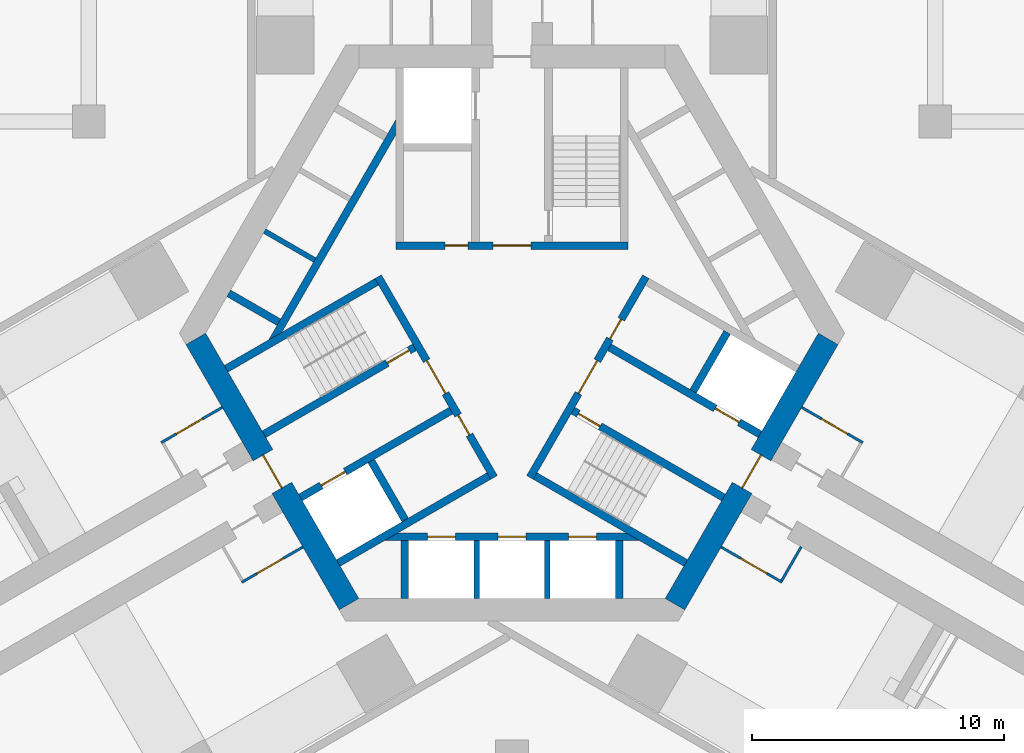
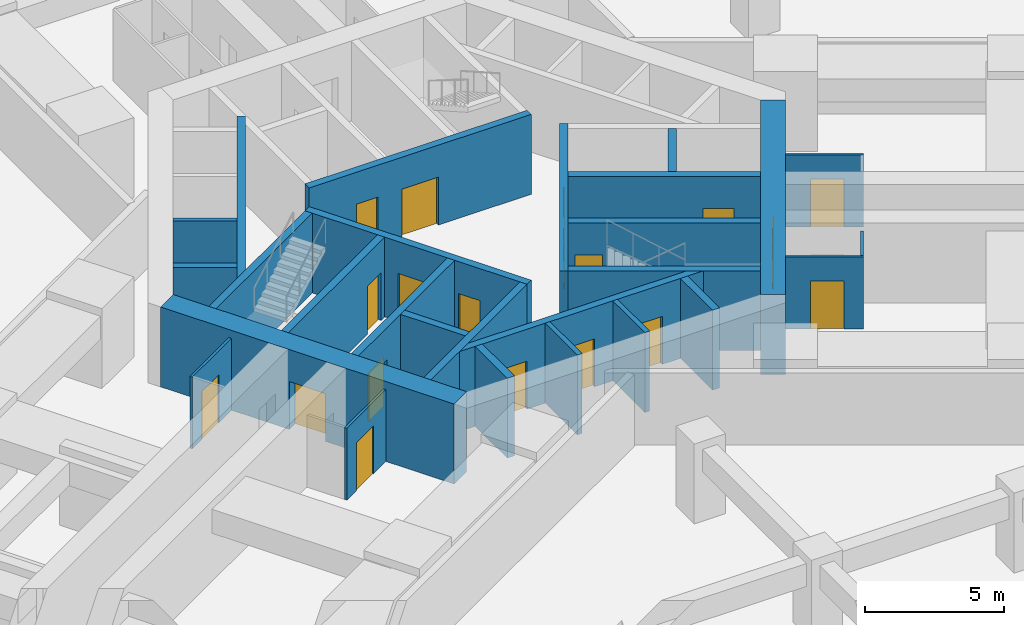
# One storey, part 6 of 10: 27 walls, 19 doors, 19 openings.
"""IFC4 building model written with IfcOpenShell, lengths in metres."""

from ifc_helpers import new_model, si_unit, direction, frame, frame_2d, origin, place, context, subcontext, project, spatial, rectangle, extrude, material, layer, layer_set, type_object, element, fill, save


model = new_model("IFC4")

# Units and contexts
model_context = context("Model", 3, precision=1e-05, world=origin(), true_north=direction((0.0, 1.0)))
body_context = subcontext(model_context, "Body", "Model", "MODEL_VIEW")
ifc_project = project(units=[si_unit("LENGTHUNIT", "METRE"), si_unit("AREAUNIT", "SQUARE_METRE"), si_unit("VOLUMEUNIT", "CUBIC_METRE"), si_unit("PLANEANGLEUNIT", "RADIAN"), si_unit("MASSUNIT", "GRAM", prefix="KILO")], contexts=[model_context])

# Site, building, storey
site_placement = place(None, origin())
site = spatial("IfcSite", under=ifc_project, at=site_placement, CompositionType="ELEMENT")
building_placement = place(site_placement, origin())
building = spatial("IfcBuilding", under=site, at=building_placement, Name="Impinga Residences", CompositionType="ELEMENT")
storey_placement = place(building_placement, frame((0.0, 0.0, -3.5)))
storey = spatial("IfcBuildingStorey", under=building, at=storey_placement, Name="B1", CompositionType="ELEMENT", Elevation=-3.5)

# Wall, opening, door
ifc_material_1 = material(Name="Concrete blockwork", Category="masonry")
ifc_layer_1 = layer(ifc_material_1, 0.10009765625)
ifc_layer_set_1 = layer_set([ifc_layer_1], Name="CP1 core room partition, blockwork 100")
wall_type_1 = type_object("IfcWallType", Name="CP1 core room partition, blockwork 100", PredefinedType="PARTITIONING", material=ifc_layer_set_1)
wall_1_placement = place(storey_placement, frame((-8.300048828125, -8.487060546875, 0.0), z_axis=(0.0, 0.0, 1.0), x_axis=(-0.866034573852, -0.49998411664, 0.0)))
wall_1 = element("IfcWall", 1, at=wall_1_placement, inside=storey, type_object=wall_type_1, Name="Core room partition, blockwork B1-WA1:L1", PredefinedType="PARTITIONING", context=body_context, shape_type="SweptSolid", body=[
    extrude(rectangle(XDim=2.7998046875, YDim=0.10009765625, at=frame_2d((1.39990234375, 0.0))), origin(), (0.0, 0.0, 1.0), 3.14990234375),
])
opening_1_placement = place(wall_1_placement, frame((0.89990234375, 0.0, 0.0)))
opening_1 = element("IfcOpeningElement", 2, at=opening_1_placement, cuts=wall_1, Name="Opening D3", PredefinedType="OPENING", context=body_context, shape_type="SweptSolid", body=[
    extrude(rectangle(XDim=1.199951171875, YDim=2.10009765625, at=frame_2d((0.60009765625, 1.050048828125))), frame((0.0, 0.06005859375, 0.0), z_axis=(0.0, -1.0, 0.0), x_axis=(1.0, 0.0, 0.0)), (0.0, 0.0, 1.0), 0.1201171875),
])
ifc_material_2 = material(Name="Timber door set", Category="wood")
door_type_1 = type_object("IfcDoorType", Name="D3 room door, leaf and a half 1200x2100", OperationType="DOUBLE_SWING_LEFT", PredefinedType="DOOR", material=ifc_material_2)
door_1_placement = place(opening_1_placement, origin())
door_1 = element("IfcDoor", 3, at=door_1_placement, inside=storey, type_object=door_type_1, Name="Bicycle store door B1-WA1", OperationType="DOUBLE_SWING_LEFT", OverallHeight=2.10009765625, OverallWidth=1.199951171875, PredefinedType="DOOR", context=body_context, shape_type="SweptSolid", body=[
    extrude(rectangle(XDim=1.199951171875, YDim=2.10009765625, at=frame_2d((0.60009765625, 1.050048828125))), frame((0.0, 0.02490234375, 0.0), z_axis=(0.0, -1.0, 0.0), x_axis=(1.0, 0.0, 0.0)), (0.0, 0.0, 1.0), 0.050048828125),
])
fill(opening_1, door_1)

wall_2_placement = place(storey_placement, frame((-11.5, -2.944580078125, 0.0), z_axis=(0.0, 0.0, 1.0), x_axis=(-0.866034573852, -0.49998411664, 0.0)))
wall_2 = element("IfcWall", 4, at=wall_2_placement, inside=storey, type_object=wall_type_1, Name="Core room partition, blockwork B1-WF1:L1", PredefinedType="PARTITIONING", context=body_context, shape_type="SweptSolid", body=[
    extrude(rectangle(XDim=2.7998046875, YDim=0.10009765625, at=frame_2d((1.39990234375, 0.0))), origin(), (0.0, 0.0, 1.0), 3.14990234375),
])
opening_2_placement = place(wall_2_placement, frame((0.89990234375, 0.0, 0.0)))
opening_2 = element("IfcOpeningElement", 5, at=opening_2_placement, cuts=wall_2, Name="Opening D3", PredefinedType="OPENING", context=body_context, shape_type="SweptSolid", body=[
    extrude(rectangle(XDim=1.199951171875, YDim=2.10009765625, at=frame_2d((0.60009765625, 1.050048828125))), frame((0.0, 0.06005859375, 0.0), z_axis=(0.0, -1.0, 0.0), x_axis=(1.0, 0.0, 0.0)), (0.0, 0.0, 1.0), 0.1201171875),
])
door_2_placement = place(opening_2_placement, origin())
door_2 = element("IfcDoor", 6, at=door_2_placement, inside=storey, type_object=door_type_1, Name="Storage cages door B1-WF1", OperationType="DOUBLE_SWING_LEFT", OverallHeight=2.10009765625, OverallWidth=1.199951171875, PredefinedType="DOOR", context=body_context, shape_type="SweptSolid", body=[
    extrude(rectangle(XDim=1.199951171875, YDim=2.10009765625, at=frame_2d((0.60009765625, 1.050048828125))), frame((0.0, 0.02490234375, 0.0), z_axis=(0.0, -1.0, 0.0), x_axis=(1.0, 0.0, 0.0)), (0.0, 0.0, 1.0), 0.050048828125),
])
fill(opening_2, door_2)

wall_3_placement = place(storey_placement, frame((11.5, -2.944580078125, 0.0), z_axis=(0.0, 0.0, 1.0), x_axis=(0.866034573852, -0.49998411664, 0.0)))
wall_3 = element("IfcWall", 7, at=wall_3_placement, inside=storey, type_object=wall_type_1, Name="Core room partition, blockwork B1-EA1:L1", PredefinedType="PARTITIONING", context=body_context, shape_type="SweptSolid", body=[
    extrude(rectangle(XDim=2.7998046875, YDim=0.10009765625, at=frame_2d((1.39990234375, 0.0))), origin(), (0.0, 0.0, 1.0), 3.14990234375),
])
opening_3_placement = place(wall_3_placement, frame((0.89990234375, 0.0, 0.0)))
opening_3 = element("IfcOpeningElement", 8, at=opening_3_placement, cuts=wall_3, Name="Opening D3", PredefinedType="OPENING", context=body_context, shape_type="SweptSolid", body=[
    extrude(rectangle(XDim=1.199951171875, YDim=2.10009765625, at=frame_2d((0.60009765625, 1.050048828125))), frame((0.0, 0.06005859375, 0.0), z_axis=(0.0, -1.0, 0.0), x_axis=(1.0, 0.0, 0.0)), (0.0, 0.0, 1.0), 0.1201171875),
])
door_3_placement = place(opening_3_placement, origin())
door_3 = element("IfcDoor", 9, at=door_3_placement, inside=storey, type_object=door_type_1, Name="Storage cages door B1-EA1", OperationType="DOUBLE_SWING_LEFT", OverallHeight=2.10009765625, OverallWidth=1.199951171875, PredefinedType="DOOR", context=body_context, shape_type="SweptSolid", body=[
    extrude(rectangle(XDim=1.199951171875, YDim=2.10009765625, at=frame_2d((0.60009765625, 1.050048828125))), frame((0.0, 0.02490234375, 0.0), z_axis=(0.0, -1.0, 0.0), x_axis=(1.0, 0.0, 0.0)), (0.0, 0.0, 1.0), 0.050048828125),
])
fill(opening_3, door_3)

wall_4_placement = place(storey_placement, frame((8.300048828125, -8.487060546875, 0.0), z_axis=(0.0, 0.0, 1.0), x_axis=(0.866034573852, -0.49998411664, 0.0)))
wall_4 = element("IfcWall", 10, at=wall_4_placement, inside=storey, type_object=wall_type_1, Name="Core room partition, blockwork B1-EF1:L1", PredefinedType="PARTITIONING", context=body_context, shape_type="SweptSolid", body=[
    extrude(rectangle(XDim=2.7998046875, YDim=0.10009765625, at=frame_2d((1.39990234375, 0.0))), origin(), (0.0, 0.0, 1.0), 3.14990234375),
])
opening_4_placement = place(wall_4_placement, frame((0.89990234375, 0.0, 0.0)))
opening_4 = element("IfcOpeningElement", 11, at=opening_4_placement, cuts=wall_4, Name="Opening D3", PredefinedType="OPENING", context=body_context, shape_type="SweptSolid", body=[
    extrude(rectangle(XDim=1.199951171875, YDim=2.10009765625, at=frame_2d((0.60009765625, 1.050048828125))), frame((0.0, 0.06005859375, 0.0), z_axis=(0.0, -1.0, 0.0), x_axis=(1.0, 0.0, 0.0)), (0.0, 0.0, 1.0), 0.1201171875),
])
door_4_placement = place(opening_4_placement, origin())
door_4 = element("IfcDoor", 12, at=door_4_placement, inside=storey, type_object=door_type_1, Name="Smoke extract fan room door B1-EF1", OperationType="DOUBLE_SWING_LEFT", OverallHeight=2.10009765625, OverallWidth=1.199951171875, PredefinedType="DOOR", context=body_context, shape_type="SweptSolid", body=[
    extrude(rectangle(XDim=1.199951171875, YDim=2.10009765625, at=frame_2d((0.60009765625, 1.050048828125))), frame((0.0, 0.02490234375, 0.0), z_axis=(0.0, -1.0, 0.0), x_axis=(1.0, 0.0, 0.0)), (0.0, 0.0, 1.0), 0.050048828125),
])
fill(opening_4, door_4)

# Wall
wall_5_placement = place(storey_placement, frame((11.481689453125, -8.476318359375, 0.0), z_axis=(0.0, 0.0, 1.0), x_axis=(-0.500017819788, -0.86601511528, 0.0)))
element("IfcWall", 13, at=wall_5_placement, inside=storey, type_object=wall_type_1, Name="Core room partition, blockwork B1-EF1:L2", PredefinedType="PARTITIONING", context=body_context, shape_type="SweptSolid", body=[
    extrude(rectangle(XDim=1.55029296875, YDim=0.10009765625, at=frame_2d((0.775146484375, 0.0))), origin(), (0.0, 0.0, 1.0), 3.14990234375),
])

# Wall, opening, door
ifc_material_3 = material(Name="Concrete C70/85", Category="concrete")
ifc_layer_2 = layer(ifc_material_3, 0.89990234375)
ifc_layer_set_2 = layer_set([ifc_layer_2], Name="Concrete C70/85")
wall_type_2 = type_object("IfcWallType", Name="SW1 core wall 900", PredefinedType="SHEAR", material=ifc_layer_set_2)
wall_6_placement = place(storey_placement, frame((-6.47021484375, -10.756591796875, 0.0), z_axis=(0.0, 0.0, 1.0), x_axis=(-0.499997612506, 0.8660267822, 0.0)))
wall_6 = element("IfcWall", 14, at=wall_6_placement, inside=storey, type_object=wall_type_2, Name="Core wall SW1 W:FACE B1", PredefinedType="SHEAR", context=body_context, shape_type="SweptSolid", body=[
    extrude(rectangle(XDim=12.16064453125, YDim=0.89990234375, at=frame_2d((6.080322265625, 0.0))), origin(), (0.0, 0.0, 1.0), 3.5),
])
opening_5_placement = place(wall_6_placement, frame((5.330322265625, 0.0, 0.0)))
opening_5 = element("IfcOpeningElement", 15, at=opening_5_placement, cuts=wall_6, Name="Opening D4", PredefinedType="OPENING", context=body_context, shape_type="SweptSolid", body=[
    extrude(rectangle(XDim=1.5, YDim=2.10009765625, at=frame_2d((0.75, 1.050048828125))), frame((0.0, 0.4599609375, 0.0), z_axis=(0.0, -1.0, 0.0), x_axis=(1.0, 0.0, 0.0)), (0.0, 0.0, 1.0), 0.919921875),
])
door_type_2 = type_object("IfcDoorType", Name="D4 lobby door pair 1500x2100", OperationType="DOUBLE_DOOR_DOUBLE_SWING", PredefinedType="DOOR", material=ifc_material_2)
door_5_placement = place(opening_5_placement, origin())
door_5 = element("IfcDoor", 16, at=door_5_placement, inside=storey, type_object=door_type_2, Name="Lobby door W", OperationType="DOUBLE_DOOR_DOUBLE_SWING", OverallHeight=2.10009765625, OverallWidth=1.5, PredefinedType="DOOR", context=body_context, shape_type="SweptSolid", body=[
    extrude(rectangle(XDim=1.5, YDim=2.10009765625, at=frame_2d((0.75, 1.050048828125))), frame((0.0, 0.02490234375, 0.0), z_axis=(0.0, -1.0, 0.0), x_axis=(1.0, 0.0, 0.0)), (0.0, 0.0, 1.0), 0.050048828125),
])
fill(opening_5, door_5)

wall_7_placement = place(storey_placement, frame((12.550537109375, -0.22509765625, 0.0), z_axis=(0.0, 0.0, 1.0), x_axis=(-0.499997612506, -0.8660267822, 0.0)))
wall_7 = element("IfcWall", 17, at=wall_7_placement, inside=storey, type_object=wall_type_2, Name="Core wall SW1 E:FACE B1", PredefinedType="SHEAR", context=body_context, shape_type="SweptSolid", body=[
    extrude(rectangle(XDim=12.16064453125, YDim=0.89990234375, at=frame_2d((6.080322265625, 0.0))), origin(), (0.0, 0.0, 1.0), 3.5),
])
opening_6_placement = place(wall_7_placement, frame((5.330322265625, 0.0, 0.0)))
opening_6 = element("IfcOpeningElement", 18, at=opening_6_placement, cuts=wall_7, Name="Opening D4", PredefinedType="OPENING", context=body_context, shape_type="SweptSolid", body=[
    extrude(rectangle(XDim=1.5, YDim=2.10009765625, at=frame_2d((0.75, 1.050048828125))), frame((0.0, 0.4599609375, 0.0), z_axis=(0.0, -1.0, 0.0), x_axis=(1.0, 0.0, 0.0)), (0.0, 0.0, 1.0), 0.919921875),
])
door_6_placement = place(opening_6_placement, origin())
door_6 = element("IfcDoor", 19, at=door_6_placement, inside=storey, type_object=door_type_2, Name="Lobby door E", OperationType="DOUBLE_DOOR_DOUBLE_SWING", OverallHeight=2.10009765625, OverallWidth=1.5, PredefinedType="DOOR", context=body_context, shape_type="SweptSolid", body=[
    extrude(rectangle(XDim=1.5, YDim=2.10009765625, at=frame_2d((0.75, 1.050048828125))), frame((0.0, 0.02490234375, 0.0), z_axis=(0.0, -1.0, 0.0), x_axis=(1.0, 0.0, 0.0)), (0.0, 0.0, 1.0), 0.050048828125),
])
fill(opening_6, door_6)

# Wall, openings, doors
ifc_layer_3 = layer(ifc_material_3, 0.300048828125)
ifc_layer_set_3 = layer_set([ifc_layer_3], Name="Concrete C70/85")
wall_type_3 = type_object("IfcWallType", Name="SW5 core inner wall, stairs, shafts and lobbies 300", PredefinedType="SHEAR", material=ifc_layer_set_3)
wall_8_placement = place(storey_placement, frame((-4.60009765625, 3.47998046875, 0.0), z_axis=(0.0, 0.0, 1.0), x_axis=(1.0, 0.0, 0.0)))
wall_8 = element("IfcWall", 20, at=wall_8_placement, inside=storey, type_object=wall_type_3, Name="Core wall SW5 N:ZONE B1", PredefinedType="SHEAR", context=body_context, shape_type="SweptSolid", body=[
    extrude(rectangle(XDim=9.2001953125, YDim=0.300048828125, at=frame_2d((4.60009765625, 0.0))), origin(), (0.0, 0.0, 1.0), 3.5),
])
opening_7_placement = place(wall_8_placement, frame((3.85009765625, 0.0, 0.0)))
opening_7 = element("IfcOpeningElement", 21, at=opening_7_placement, cuts=wall_8, Name="Opening D4", PredefinedType="OPENING", context=body_context, shape_type="SweptSolid", body=[
    extrude(rectangle(XDim=1.5, YDim=2.10009765625, at=frame_2d((0.75, 1.050048828125))), frame((0.0, 0.159912109375, 0.0), z_axis=(0.0, -1.0, 0.0), x_axis=(1.0, 0.0, 0.0)), (0.0, 0.0, 1.0), 0.320068359375),
])
opening_8_placement = place(wall_8_placement, frame((1.949951171875, 0.0, 0.0)))
opening_8 = element("IfcOpeningElement", 22, at=opening_8_placement, cuts=wall_8, Name="Opening D6", PredefinedType="OPENING", context=body_context, shape_type="SweptSolid", body=[
    extrude(rectangle(XDim=0.89990234375, YDim=2.10009765625, at=frame_2d((0.449951171875, 1.050048828125))), frame((0.0, 0.159912109375, 0.0), z_axis=(0.0, -1.0, 0.0), x_axis=(1.0, 0.0, 0.0)), (0.0, 0.0, 1.0), 0.320068359375),
])
door_7_placement = place(opening_7_placement, origin())
door_7 = element("IfcDoor", 23, at=door_7_placement, inside=storey, type_object=door_type_2, Name="Firefighting lobby door N", OperationType="DOUBLE_DOOR_DOUBLE_SWING", OverallHeight=2.10009765625, OverallWidth=1.5, PredefinedType="DOOR", context=body_context, shape_type="SweptSolid", body=[
    extrude(rectangle(XDim=1.5, YDim=2.10009765625, at=frame_2d((0.75, 1.050048828125))), frame((0.0, 0.02490234375, 0.0), z_axis=(0.0, -1.0, 0.0), x_axis=(1.0, 0.0, 0.0)), (0.0, 0.0, 1.0), 0.050048828125),
])
fill(opening_7, door_7)
door_type_3 = type_object("IfcDoorType", Name="D6 riser and store door 900x2100", OperationType="SINGLE_SWING_LEFT", PredefinedType="DOOR", material=ifc_material_2)
door_8_placement = place(opening_8_placement, origin())
door_8 = element("IfcDoor", 24, at=door_8_placement, inside=storey, type_object=door_type_3, Name="Riser door N", OperationType="SINGLE_SWING_LEFT", OverallHeight=2.10009765625, OverallWidth=0.89990234375, PredefinedType="DOOR", context=body_context, shape_type="SweptSolid", body=[
    extrude(rectangle(XDim=0.89990234375, YDim=2.10009765625, at=frame_2d((0.449951171875, 1.050048828125))), frame((0.0, 0.02490234375, 0.0), z_axis=(0.0, -1.0, 0.0), x_axis=(1.0, 0.0, 0.0)), (0.0, 0.0, 1.0), 0.050048828125),
])
fill(opening_8, door_8)

wall_9_placement = place(storey_placement, frame((-0.7138671875, -5.7236328125, 0.0), z_axis=(0.0, 0.0, 1.0), x_axis=(-0.499995050369, 0.866028261437, 0.0)))
wall_9 = element("IfcWall", 25, at=wall_9_placement, inside=storey, type_object=wall_type_3, Name="Core wall SW5 W:ZONE B1", PredefinedType="SHEAR", context=body_context, shape_type="SweptSolid", body=[
    extrude(rectangle(XDim=9.19970703125, YDim=0.300048828125, at=frame_2d((4.599853515625, 0.0))), origin(), (0.0, 0.0, 1.0), 3.5),
])
opening_9_placement = place(wall_9_placement, frame((3.85009765625, 0.0, 0.0)))
opening_9 = element("IfcOpeningElement", 26, at=opening_9_placement, cuts=wall_9, Name="Opening D4", PredefinedType="OPENING", context=body_context, shape_type="SweptSolid", body=[
    extrude(rectangle(XDim=1.5, YDim=2.10009765625, at=frame_2d((0.75, 1.050048828125))), frame((0.0, 0.159912109375, 0.0), z_axis=(0.0, -1.0, 0.0), x_axis=(1.0, 0.0, 0.0)), (0.0, 0.0, 1.0), 0.320068359375),
])
opening_10_placement = place(wall_9_placement, frame((1.949951171875, 0.0, 0.0)))
opening_10 = element("IfcOpeningElement", 27, at=opening_10_placement, cuts=wall_9, Name="Opening D6", PredefinedType="OPENING", context=body_context, shape_type="SweptSolid", body=[
    extrude(rectangle(XDim=0.89990234375, YDim=2.10009765625, at=frame_2d((0.449951171875, 1.050048828125))), frame((0.0, 0.159912109375, 0.0), z_axis=(0.0, -1.0, 0.0), x_axis=(1.0, 0.0, 0.0)), (0.0, 0.0, 1.0), 0.320068359375),
])
door_9_placement = place(opening_9_placement, origin())
door_9 = element("IfcDoor", 28, at=door_9_placement, inside=storey, type_object=door_type_2, Name="Firefighting lobby door W", OperationType="DOUBLE_DOOR_DOUBLE_SWING", OverallHeight=2.10009765625, OverallWidth=1.5, PredefinedType="DOOR", context=body_context, shape_type="SweptSolid", body=[
    extrude(rectangle(XDim=1.5, YDim=2.10009765625, at=frame_2d((0.75, 1.050048828125))), frame((0.0, 0.02490234375, 0.0), z_axis=(0.0, -1.0, 0.0), x_axis=(1.0, 0.0, 0.0)), (0.0, 0.0, 1.0), 0.050048828125),
])
fill(opening_9, door_9)
door_10_placement = place(opening_10_placement, origin())
door_10 = element("IfcDoor", 29, at=door_10_placement, inside=storey, type_object=door_type_3, Name="Riser door W", OperationType="SINGLE_SWING_LEFT", OverallHeight=2.10009765625, OverallWidth=0.89990234375, PredefinedType="DOOR", context=body_context, shape_type="SweptSolid", body=[
    extrude(rectangle(XDim=0.89990234375, YDim=2.10009765625, at=frame_2d((0.449951171875, 1.050048828125))), frame((0.0, 0.02490234375, 0.0), z_axis=(0.0, -1.0, 0.0), x_axis=(1.0, 0.0, 0.0)), (0.0, 0.0, 1.0), 0.050048828125),
])
fill(opening_10, door_10)

# Wall, opening, door
wall_10_placement = place(storey_placement, frame((-3.86865234375, -0.559326171875, 0.0), z_axis=(0.0, 0.0, 1.0), x_axis=(-0.86602711848, -0.499997030048, 0.0)))
wall_10 = element("IfcWall", 30, at=wall_10_placement, inside=storey, type_object=wall_type_3, Name="Core wall SW5 W:ST-IN B1", PredefinedType="SHEAR", context=body_context, shape_type="SweptSolid", body=[
    extrude(rectangle(XDim=6.9013671875, YDim=0.300048828125, at=frame_2d((3.45068359375, 0.0))), origin(), (0.0, 0.0, 1.0), 3.5),
])
opening_11_placement = place(wall_10_placement, frame((0.25, 0.0, 0.0)))
opening_11 = element("IfcOpeningElement", 31, at=opening_11_placement, cuts=wall_10, Name="Opening D5", PredefinedType="OPENING", context=body_context, shape_type="SweptSolid", body=[
    extrude(rectangle(XDim=1.0, YDim=2.10009765625, at=frame_2d((0.5, 1.050048828125))), frame((0.0, 0.159912109375, 0.0), z_axis=(0.0, -1.0, 0.0), x_axis=(1.0, 0.0, 0.0)), (0.0, 0.0, 1.0), 0.320068359375),
])
door_type_4 = type_object("IfcDoorType", Name="D5 stair door 1000x2100", OperationType="SINGLE_SWING_LEFT", PredefinedType="DOOR", material=ifc_material_2)
door_11_placement = place(opening_11_placement, origin())
door_11 = element("IfcDoor", 32, at=door_11_placement, inside=storey, type_object=door_type_4, Name="Stair door W", OperationType="SINGLE_SWING_LEFT", OverallHeight=2.10009765625, OverallWidth=1.0, PredefinedType="DOOR", context=body_context, shape_type="SweptSolid", body=[
    extrude(rectangle(XDim=1.0, YDim=2.10009765625, at=frame_2d((0.5, 1.050048828125))), frame((0.0, 0.02490234375, 0.0), z_axis=(0.0, -1.0, 0.0), x_axis=(1.0, 0.0, 0.0)), (0.0, 0.0, 1.0), 0.050048828125),
])
fill(opening_11, door_11)

# Wall
wall_11_placement = place(storey_placement, frame((-5.36865234375, 2.038818359375, 0.0), z_axis=(0.0, 0.0, 1.0), x_axis=(-0.86602711848, -0.499997030048, 0.0)))
element("IfcWall", 33, at=wall_11_placement, inside=storey, type_object=wall_type_3, Name="Core wall SW5 W:ST-OUT B1", PredefinedType="SHEAR", context=body_context, shape_type="SweptSolid", body=[
    extrude(rectangle(XDim=6.9013671875, YDim=0.300048828125, at=frame_2d((3.45068359375, 0.0))), origin(), (0.0, 0.0, 1.0), 3.5),
])

# Wall, opening, door
wall_12_placement = place(storey_placement, frame((-2.418701171875, -3.07080078125, 0.0), z_axis=(0.0, 0.0, 1.0), x_axis=(-0.86602711848, -0.499997030048, 0.0)))
wall_12 = element("IfcWall", 34, at=wall_12_placement, inside=storey, type_object=wall_type_3, Name="Core wall SW5 W:FF-IN B1", PredefinedType="SHEAR", context=body_context, shape_type="SweptSolid", body=[
    extrude(rectangle(XDim=6.9013671875, YDim=0.300048828125, at=frame_2d((3.45068359375, 0.0))), origin(), (0.0, 0.0, 1.0), 3.5),
])
opening_12_placement = place(wall_12_placement, frame((4.85009765625, 0.0, 0.0)))
opening_12 = element("IfcOpeningElement", 35, at=opening_12_placement, cuts=wall_12, Name="Opening LD2", PredefinedType="OPENING", context=body_context, shape_type="SweptSolid", body=[
    extrude(rectangle(XDim=1.10009765625, YDim=2.10009765625, at=frame_2d((0.550048828125, 1.050048828125))), frame((0.0, 0.159912109375, 0.0), z_axis=(0.0, -1.0, 0.0), x_axis=(1.0, 0.0, 0.0)), (0.0, 0.0, 1.0), 0.320068359375),
])
ifc_material_4 = material(Name="Steel lift landing door", Category="steel")
door_type_5 = type_object("IfcDoorType", Name="LD2 firefighting lift landing door 1100x2100", OperationType="DOUBLE_DOOR_SLIDING", PredefinedType="DOOR", material=ifc_material_4)
door_12_placement = place(opening_12_placement, origin())
door_12 = element("IfcDoor", 36, at=door_12_placement, inside=storey, type_object=door_type_5, Name="Firefighting lift landing door F2", OperationType="DOUBLE_DOOR_SLIDING", OverallHeight=2.10009765625, OverallWidth=1.10009765625, PredefinedType="DOOR", context=body_context, shape_type="SweptSolid", body=[
    extrude(rectangle(XDim=1.10009765625, YDim=2.10009765625, at=frame_2d((0.550048828125, 1.050048828125))), frame((0.0, 0.02490234375, 0.0), z_axis=(0.0, -1.0, 0.0), x_axis=(1.0, 0.0, 0.0)), (0.0, 0.0, 1.0), 0.050048828125),
])
fill(opening_12, door_12)

# Walls
wall_13_placement = place(storey_placement, frame((-0.918701171875, -5.668701171875, 0.0), z_axis=(0.0, 0.0, 1.0), x_axis=(-0.866011800373, -0.500023561059, 0.0)))
element("IfcWall", 37, at=wall_13_placement, inside=storey, type_object=wall_type_3, Name="Core wall SW5 W:FF-OUT B1", PredefinedType="SHEAR", context=body_context, shape_type="SweptSolid", body=[
    extrude(rectangle(XDim=6.901611328125, YDim=0.300048828125, at=frame_2d((3.45068359375, 0.0))), origin(), (0.0, 0.0, 1.0), 3.5),
])
wall_14_placement = place(storey_placement, frame((-4.2412109375, -7.413818359375, 0.0), z_axis=(0.0, 0.0, 1.0), x_axis=(-0.500048589285, 0.86599734893, 0.0)))
element("IfcWall", 38, at=wall_14_placement, inside=storey, type_object=wall_type_3, Name="Core wall SW5 W:FF-RS B1", PredefinedType="SHEAR", context=body_context, shape_type="SweptSolid", body=[
    extrude(rectangle(XDim=2.699951171875, YDim=0.300048828125, at=frame_2d((1.35009765625, 0.0))), origin(), (0.0, 0.0, 1.0), 3.5),
])

# Wall, openings, doors
wall_15_placement = place(storey_placement, frame((5.313720703125, 2.24365234375, 0.0), z_axis=(0.0, 0.0, 1.0), x_axis=(-0.499995050369, -0.866028261437, 0.0)))
wall_15 = element("IfcWall", 39, at=wall_15_placement, inside=storey, type_object=wall_type_3, Name="Core wall SW5 E:ZONE B1", PredefinedType="SHEAR", context=body_context, shape_type="SweptSolid", body=[
    extrude(rectangle(XDim=9.19970703125, YDim=0.300048828125, at=frame_2d((4.599853515625, 0.0))), origin(), (0.0, 0.0, 1.0), 3.5),
])
opening_13_placement = place(wall_15_placement, frame((3.85009765625, 0.0, 0.0)))
opening_13 = element("IfcOpeningElement", 40, at=opening_13_placement, cuts=wall_15, Name="Opening D4", PredefinedType="OPENING", context=body_context, shape_type="SweptSolid", body=[
    extrude(rectangle(XDim=1.5, YDim=2.10009765625, at=frame_2d((0.75, 1.050048828125))), frame((0.0, 0.159912109375, 0.0), z_axis=(0.0, -1.0, 0.0), x_axis=(1.0, 0.0, 0.0)), (0.0, 0.0, 1.0), 0.320068359375),
])
opening_14_placement = place(wall_15_placement, frame((1.949951171875, 0.0, 0.0)))
opening_14 = element("IfcOpeningElement", 41, at=opening_14_placement, cuts=wall_15, Name="Opening D6", PredefinedType="OPENING", context=body_context, shape_type="SweptSolid", body=[
    extrude(rectangle(XDim=0.89990234375, YDim=2.10009765625, at=frame_2d((0.449951171875, 1.050048828125))), frame((0.0, 0.159912109375, 0.0), z_axis=(0.0, -1.0, 0.0), x_axis=(1.0, 0.0, 0.0)), (0.0, 0.0, 1.0), 0.320068359375),
])
door_13_placement = place(opening_13_placement, origin())
door_13 = element("IfcDoor", 42, at=door_13_placement, inside=storey, type_object=door_type_2, Name="Firefighting lobby door E", OperationType="DOUBLE_DOOR_DOUBLE_SWING", OverallHeight=2.10009765625, OverallWidth=1.5, PredefinedType="DOOR", context=body_context, shape_type="SweptSolid", body=[
    extrude(rectangle(XDim=1.5, YDim=2.10009765625, at=frame_2d((0.75, 1.050048828125))), frame((0.0, 0.02490234375, 0.0), z_axis=(0.0, -1.0, 0.0), x_axis=(1.0, 0.0, 0.0)), (0.0, 0.0, 1.0), 0.050048828125),
])
fill(opening_13, door_13)
door_14_placement = place(opening_14_placement, origin())
door_14 = element("IfcDoor", 43, at=door_14_placement, inside=storey, type_object=door_type_3, Name="Riser door E", OperationType="SINGLE_SWING_LEFT", OverallHeight=2.10009765625, OverallWidth=0.89990234375, PredefinedType="DOOR", context=body_context, shape_type="SweptSolid", body=[
    extrude(rectangle(XDim=0.89990234375, YDim=2.10009765625, at=frame_2d((0.449951171875, 1.050048828125))), frame((0.0, 0.02490234375, 0.0), z_axis=(0.0, -1.0, 0.0), x_axis=(1.0, 0.0, 0.0)), (0.0, 0.0, 1.0), 0.050048828125),
])
fill(opening_14, door_14)

# Wall, opening, door
wall_16_placement = place(storey_placement, frame((2.418701171875, -3.07080078125, 0.0), z_axis=(0.0, 0.0, 1.0), x_axis=(0.86602711848, -0.499997030048, 0.0)))
wall_16 = element("IfcWall", 44, at=wall_16_placement, inside=storey, type_object=wall_type_3, Name="Core wall SW5 E:ST-IN B1", PredefinedType="SHEAR", context=body_context, shape_type="SweptSolid", body=[
    extrude(rectangle(XDim=6.9013671875, YDim=0.300048828125, at=frame_2d((3.45068359375, 0.0))), origin(), (0.0, 0.0, 1.0), 3.5),
])
opening_15_placement = place(wall_16_placement, frame((0.25, 0.0, 0.0)))
opening_15 = element("IfcOpeningElement", 45, at=opening_15_placement, cuts=wall_16, Name="Opening D5", PredefinedType="OPENING", context=body_context, shape_type="SweptSolid", body=[
    extrude(rectangle(XDim=1.0, YDim=2.10009765625, at=frame_2d((0.5, 1.050048828125))), frame((0.0, 0.159912109375, 0.0), z_axis=(0.0, -1.0, 0.0), x_axis=(1.0, 0.0, 0.0)), (0.0, 0.0, 1.0), 0.320068359375),
])
door_15_placement = place(opening_15_placement, origin())
door_15 = element("IfcDoor", 46, at=door_15_placement, inside=storey, type_object=door_type_4, Name="Stair door E", OperationType="SINGLE_SWING_LEFT", OverallHeight=2.10009765625, OverallWidth=1.0, PredefinedType="DOOR", context=body_context, shape_type="SweptSolid", body=[
    extrude(rectangle(XDim=1.0, YDim=2.10009765625, at=frame_2d((0.5, 1.050048828125))), frame((0.0, 0.02490234375, 0.0), z_axis=(0.0, -1.0, 0.0), x_axis=(1.0, 0.0, 0.0)), (0.0, 0.0, 1.0), 0.050048828125),
])
fill(opening_15, door_15)

# Wall
wall_17_placement = place(storey_placement, frame((0.918701171875, -5.668701171875, 0.0), z_axis=(0.0, 0.0, 1.0), x_axis=(0.866011800373, -0.500023561059, 0.0)))
element("IfcWall", 47, at=wall_17_placement, inside=storey, type_object=wall_type_3, Name="Core wall SW5 E:ST-OUT B1", PredefinedType="SHEAR", context=body_context, shape_type="SweptSolid", body=[
    extrude(rectangle(XDim=6.901611328125, YDim=0.300048828125, at=frame_2d((3.45068359375, 0.0))), origin(), (0.0, 0.0, 1.0), 3.5),
])

# Wall, opening, door
wall_18_placement = place(storey_placement, frame((3.86865234375, -0.559326171875, 0.0), z_axis=(0.0, 0.0, 1.0), x_axis=(0.86602711848, -0.499997030048, 0.0)))
wall_18 = element("IfcWall", 48, at=wall_18_placement, inside=storey, type_object=wall_type_3, Name="Core wall SW5 E:FF-IN B1", PredefinedType="SHEAR", context=body_context, shape_type="SweptSolid", body=[
    extrude(rectangle(XDim=6.9013671875, YDim=0.300048828125, at=frame_2d((3.45068359375, 0.0))), origin(), (0.0, 0.0, 1.0), 3.5),
])
opening_16_placement = place(wall_18_placement, frame((4.85009765625, 0.0, 0.0)))
opening_16 = element("IfcOpeningElement", 49, at=opening_16_placement, cuts=wall_18, Name="Opening LD2", PredefinedType="OPENING", context=body_context, shape_type="SweptSolid", body=[
    extrude(rectangle(XDim=1.10009765625, YDim=2.10009765625, at=frame_2d((0.550048828125, 1.050048828125))), frame((0.0, 0.159912109375, 0.0), z_axis=(0.0, -1.0, 0.0), x_axis=(1.0, 0.0, 0.0)), (0.0, 0.0, 1.0), 0.320068359375),
])
door_16_placement = place(opening_16_placement, origin())
door_16 = element("IfcDoor", 50, at=door_16_placement, inside=storey, type_object=door_type_5, Name="Firefighting lift landing door F3", OperationType="DOUBLE_DOOR_SLIDING", OverallHeight=2.10009765625, OverallWidth=1.10009765625, PredefinedType="DOOR", context=body_context, shape_type="SweptSolid", body=[
    extrude(rectangle(XDim=1.10009765625, YDim=2.10009765625, at=frame_2d((0.550048828125, 1.050048828125))), frame((0.0, 0.02490234375, 0.0), z_axis=(0.0, -1.0, 0.0), x_axis=(1.0, 0.0, 0.0)), (0.0, 0.0, 1.0), 0.050048828125),
])
fill(opening_16, door_16)

# Wall
wall_19_placement = place(storey_placement, frame((8.541259765625, 0.033935546875, 0.0), z_axis=(0.0, 0.0, 1.0), x_axis=(-0.50000943426, -0.866019956843, 0.0)))
element("IfcWall", 51, at=wall_19_placement, inside=storey, type_object=wall_type_3, Name="Core wall SW5 E:FF-RS B1", PredefinedType="SHEAR", context=body_context, shape_type="SweptSolid", body=[
    extrude(rectangle(XDim=2.7001953125, YDim=0.300048828125, at=frame_2d((1.35009765625, 0.0))), origin(), (0.0, 0.0, 1.0), 3.5),
])

# Wall, openings, doors
wall_20_placement = place(storey_placement, frame((5.09765625, -8.08154296875, 0.0), z_axis=(0.0, 0.0, 1.0), x_axis=(-1.0, 0.0, 0.0)))
wall_20 = element("IfcWall", 52, at=wall_20_placement, inside=storey, type_object=wall_type_3, Name="Core wall SW5 N:BANK-FRONT B1", PredefinedType="SHEAR", context=body_context, shape_type="SweptSolid", body=[
    extrude(rectangle(XDim=10.1953125, YDim=0.300048828125, at=frame_2d((5.09765625, 0.0))), origin(), (0.0, 0.0, 1.0), 3.5),
])
opening_17_placement = place(wall_20_placement, frame((1.74755859375, 0.0, 0.0)))
opening_17 = element("IfcOpeningElement", 53, at=opening_17_placement, cuts=wall_20, Name="Opening LD1", PredefinedType="OPENING", context=body_context, shape_type="SweptSolid", body=[
    extrude(rectangle(XDim=1.10009765625, YDim=2.10009765625, at=frame_2d((0.550048828125, 1.050048828125))), frame((0.0, 0.159912109375, 0.0), z_axis=(0.0, -1.0, 0.0), x_axis=(1.0, 0.0, 0.0)), (0.0, 0.0, 1.0), 0.320068359375),
])
opening_18_placement = place(wall_20_placement, frame((4.547607421875, 0.0, 0.0)))
opening_18 = element("IfcOpeningElement", 54, at=opening_18_placement, cuts=wall_20, Name="Opening LD1", PredefinedType="OPENING", context=body_context, shape_type="SweptSolid", body=[
    extrude(rectangle(XDim=1.10009765625, YDim=2.10009765625, at=frame_2d((0.550048828125, 1.050048828125))), frame((0.0, 0.159912109375, 0.0), z_axis=(0.0, -1.0, 0.0), x_axis=(1.0, 0.0, 0.0)), (0.0, 0.0, 1.0), 0.320068359375),
])
opening_19_placement = place(wall_20_placement, frame((7.34765625, 0.0, 0.0)))
opening_19 = element("IfcOpeningElement", 55, at=opening_19_placement, cuts=wall_20, Name="Opening LD1", PredefinedType="OPENING", context=body_context, shape_type="SweptSolid", body=[
    extrude(rectangle(XDim=1.10009765625, YDim=2.10009765625, at=frame_2d((0.550048828125, 1.050048828125))), frame((0.0, 0.159912109375, 0.0), z_axis=(0.0, -1.0, 0.0), x_axis=(1.0, 0.0, 0.0)), (0.0, 0.0, 1.0), 0.320068359375),
])
door_type_6 = type_object("IfcDoorType", Name="LD1 passenger lift landing door 1100x2100", OperationType="DOUBLE_DOOR_SLIDING", PredefinedType="DOOR", material=ifc_material_4)
door_17_placement = place(opening_17_placement, origin())
door_17 = element("IfcDoor", 56, at=door_17_placement, inside=storey, type_object=door_type_6, Name="Lift landing door P1", OperationType="DOUBLE_DOOR_SLIDING", OverallHeight=2.10009765625, OverallWidth=1.10009765625, PredefinedType="DOOR", context=body_context, shape_type="SweptSolid", body=[
    extrude(rectangle(XDim=1.10009765625, YDim=2.10009765625, at=frame_2d((0.550048828125, 1.050048828125))), frame((0.0, 0.02490234375, 0.0), z_axis=(0.0, -1.0, 0.0), x_axis=(1.0, 0.0, 0.0)), (0.0, 0.0, 1.0), 0.050048828125),
])
fill(opening_17, door_17)
door_18_placement = place(opening_18_placement, origin())
door_18 = element("IfcDoor", 57, at=door_18_placement, inside=storey, type_object=door_type_6, Name="Lift landing door P2", OperationType="DOUBLE_DOOR_SLIDING", OverallHeight=2.10009765625, OverallWidth=1.10009765625, PredefinedType="DOOR", context=body_context, shape_type="SweptSolid", body=[
    extrude(rectangle(XDim=1.10009765625, YDim=2.10009765625, at=frame_2d((0.550048828125, 1.050048828125))), frame((0.0, 0.02490234375, 0.0), z_axis=(0.0, -1.0, 0.0), x_axis=(1.0, 0.0, 0.0)), (0.0, 0.0, 1.0), 0.050048828125),
])
fill(opening_18, door_18)
door_19_placement = place(opening_19_placement, origin())
door_19 = element("IfcDoor", 58, at=door_19_placement, inside=storey, type_object=door_type_6, Name="Lift landing door P3", OperationType="DOUBLE_DOOR_SLIDING", OverallHeight=2.10009765625, OverallWidth=1.10009765625, PredefinedType="DOOR", context=body_context, shape_type="SweptSolid", body=[
    extrude(rectangle(XDim=1.10009765625, YDim=2.10009765625, at=frame_2d((0.550048828125, 1.050048828125))), frame((0.0, 0.02490234375, 0.0), z_axis=(0.0, -1.0, 0.0), x_axis=(1.0, 0.0, 0.0)), (0.0, 0.0, 1.0), 0.050048828125),
])
fill(opening_19, door_19)

# Walls
for number, where, z_axis, x_axis, name in (
    (59, (4.25, -8.2314453125, 0.0), (0.0, 0.0, 1.0), (0.0, -1.0, 0.0), "Core wall SW5 N:BANK-L B1"),
    (60, (-4.25, -8.2314453125, 0.0), (0.0, 0.0, 1.0), (0.0, -1.0, 0.0), "Core wall SW5 N:BANK-R B1"),
):
    element("IfcWall", number, at=place(storey_placement, frame(where, z_axis=z_axis, x_axis=x_axis)), inside=storey, type_object=wall_type_3, Name=name, PredefinedType="SHEAR", context=body_context, shape_type="SweptSolid", body=[
        extrude(rectangle(XDim=2.300048828125, YDim=0.300048828125, at=frame_2d((1.14990234375, 0.0))), origin(), (0.0, 0.0, 1.0), 3.5),
    ])
wall_21_placement = place(storey_placement, frame((-9.547607421875, -0.3740234375, 0.0), z_axis=(0.0, 0.0, 1.0), x_axis=(0.500002290144, 0.866024081565, 0.0)))
element("IfcWall", 61, at=wall_21_placement, inside=storey, type_object=wall_type_3, Name="Core wall SW5 E:BANK-FRONT B1", PredefinedType="SHEAR", context=body_context, shape_type="SweptSolid", body=[
    extrude(rectangle(XDim=10.1953125, YDim=0.300048828125, at=frame_2d((5.09765625, 0.0))), origin(), (0.0, 0.0, 1.0), 3.5),
])
wall_22_placement = place(storey_placement, frame((-9.253662109375, 0.43505859375, 0.0), z_axis=(0.0, 0.0, 1.0), x_axis=(-0.866007057882, 0.500031774688, 0.0)))
element("IfcWall", 62, at=wall_22_placement, inside=storey, type_object=wall_type_3, Name="Core wall SW5 E:BANK-L B1", PredefinedType="SHEAR", context=body_context, shape_type="SweptSolid", body=[
    extrude(rectangle(XDim=2.300048828125, YDim=0.300048828125, at=frame_2d((1.14990234375, 0.0))), origin(), (0.0, 0.0, 1.0), 3.5),
])
ifc_layer_4 = layer(ifc_material_3, 0.199951171875)
ifc_layer_set_4 = layer_set([ifc_layer_4], Name="Concrete C70/85")
wall_type_4 = type_object("IfcWallType", Name="SW6 lift shaft divider wall 200", PredefinedType="SHEAR", material=ifc_layer_set_4)
for number, where, z_axis, x_axis, name in (
    (63, (1.39990234375, -8.2314453125, 0.0), (0.0, 0.0, 1.0), (0.0, -1.0, 0.0), "Core wall SW6 N:BANK-D1 B1"),
    (64, (-1.39990234375, -8.2314453125, 0.0), (0.0, 0.0, 1.0), (0.0, -1.0, 0.0), "Core wall SW6 N:BANK-D2 B1"),
    (65, (-7.82861328125, 2.9033203125, 0.0), (0.0, 0.0, 1.0), (-0.866053019151, 0.499952165731, 0.0), "Core wall SW6 E:BANK-D1 B1"),
):
    element("IfcWall", number, at=place(storey_placement, frame(where, z_axis=z_axis, x_axis=x_axis)), inside=storey, type_object=wall_type_4, Name=name, PredefinedType="SHEAR", context=body_context, shape_type="SweptSolid", body=[
        extrude(rectangle(XDim=2.300048828125, YDim=0.199951171875, at=frame_2d((1.14990234375, 0.0))), origin(), (0.0, 0.0, 1.0), 3.5),
    ])

save(model, "model.ifc")
